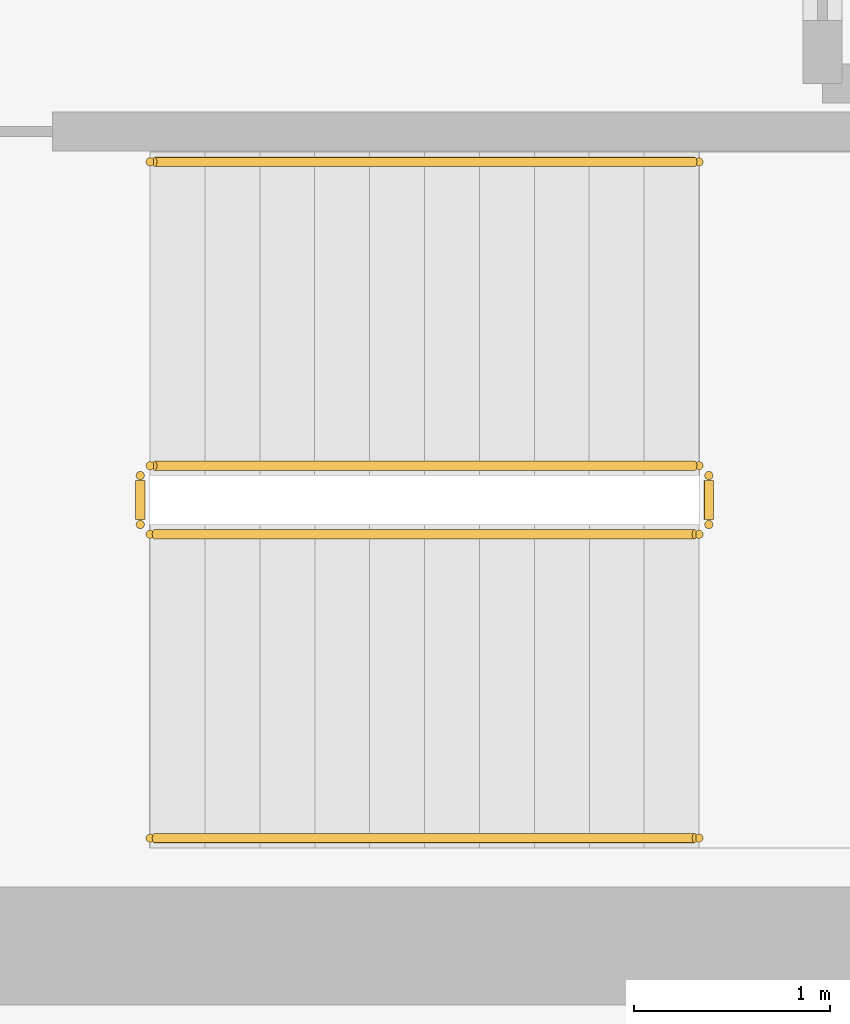
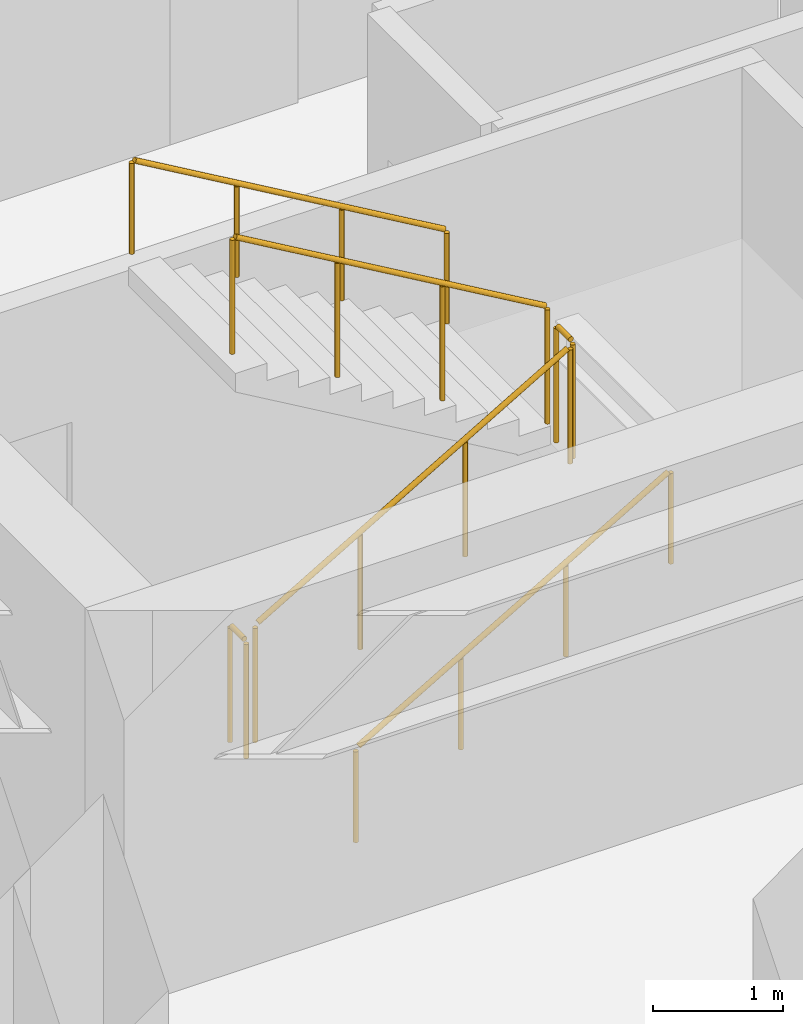
# One storey, part 13 of 13: 6 railings.
"""IFC4 building model written with IfcOpenShell, lengths in metres."""

from ifc_helpers import new_model, si_unit, direction, frame, origin, origin_2d, place, context, subcontext, project, spatial, circle, extrude, source, transform, mapped, material, layer, layer_set, type_object, element, save


model = new_model("IFC4")

# Units and contexts
model_context = context("Model", 3, precision=1e-05, world=origin(), true_north=direction((0.0, 1.0)))
body_context = subcontext(model_context, "Body", "Model", "MODEL_VIEW")
ifc_project = project(units=[si_unit("LENGTHUNIT", "METRE"), si_unit("AREAUNIT", "SQUARE_METRE"), si_unit("VOLUMEUNIT", "CUBIC_METRE"), si_unit("PLANEANGLEUNIT", "RADIAN"), si_unit("MASSUNIT", "GRAM", prefix="KILO")], contexts=[model_context])

# Site, building, storey
site_placement = place(None, origin())
site = spatial("IfcSite", under=ifc_project, at=site_placement, CompositionType="ELEMENT")
building_placement = place(site_placement, origin())
building = spatial("IfcBuilding", under=site, at=building_placement, Name="Kharzan Plaza Tower", CompositionType="ELEMENT")
storey_placement = place(building_placement, frame((0.0, 0.0, 175.5)))
storey = spatial("IfcBuildingStorey", under=building, at=storey_placement, Name="L47", CompositionType="ELEMENT", Elevation=175.5)

# Railings
ifc_material_1 = material(Name="Painted Galvanized Architectural Steel", Category="steel")
ifc_layer_1 = layer(ifc_material_1, 0.074951171875)
ifc_layer_set_1 = layer_set([ifc_layer_1], Name="Painted Galvanized Architectural Steel")
railing_type_1 = type_object("IfcRailingType", Name="RL-GUARD-1120", PredefinedType="BALUSTRADE", material=ifc_layer_set_1)
shared_shape_1 = source(origin(), body_context, "Body", "SweptSolid", [
    extrude(circle(Radius=0.02392578125, at=origin_2d()), frame((0.0, 0.0263671875, 1.09619140625), z_axis=(0.0, 1.0, 0.0), x_axis=(-1.0, 0.0, 0.0)), (0.0, 0.0, 1.0), 0.197021484375),
    extrude(circle(Radius=0.02099609375, at=origin_2d()), origin(), (0.0, 0.0, 1.0), 1.072021484375),
    extrude(circle(Radius=0.02099609375, at=origin_2d()), frame((0.0, 0.25, 0.0)), (0.0, 0.0, 1.0), 1.072021484375),
])
for number, where, name in (
    (1, (41.10009765625, 6.64990234375, 1.800048828125), "L47 ST-3 stair guard 2"),
    (2, (38.199951171875, 6.64990234375, 0.0), "L47 ST-3 stair guard 4"),
):
    element("IfcRailing", number, at=place(storey_placement, frame(where)), inside=storey, type_object=railing_type_1, Name=name, PredefinedType="BALUSTRADE", context=body_context, shape_type="MappedRepresentation", body=[
        mapped(shared_shape_1, transform((0.0, 0.0, 0.0), x_axis=(1.0, 0.0, 0.0), y_axis=(0.0, 1.0, 0.0), z_axis=(0.0, 0.0, 1.0))),
    ])
shared_shape_2 = source(origin(), body_context, "Body", "SweptSolid", [
    extrude(circle(Radius=0.02392578125, at=origin_2d()), frame((0.02294921875, 0.0, 1.109375), z_axis=(0.863360870873, 0.0, 0.504586966384), x_axis=(0.0, 1.0, 0.0)), (0.0, 0.0, 1.0), 3.190185546875),
    extrude(circle(Radius=0.02099609375, at=origin_2d()), origin(), (0.0, 0.0, 1.0), 1.072021484375),
    extrude(circle(Radius=0.02099609375, at=origin_2d()), frame((0.933349609375, 0.0, 0.54541015625)), (0.0, 0.0, 1.0), 1.072021484375),
    extrude(circle(Radius=0.02099609375, at=origin_2d()), frame((1.86669921875, 0.0, 1.091064453125)), (0.0, 0.0, 1.0), 1.072021484375),
    extrude(circle(Radius=0.02099609375, at=origin_2d()), frame((2.800048828125, 0.0, 1.636474609375)), (0.0, 0.0, 1.0), 1.072021484375),
])
railing_1_placement = place(storey_placement, frame((38.25, 6.60009765625, 0.16357421875)))
element("IfcRailing", 3, at=railing_1_placement, inside=storey, type_object=railing_type_1, Name="L47 ST-3 stair guard 1", PredefinedType="BALUSTRADE", context=body_context, shape_type="MappedRepresentation", body=[
    mapped(shared_shape_2, transform((0.0, 0.0, 0.0), x_axis=(1.0, 0.0, 0.0), y_axis=(0.0, 1.0, 0.0), z_axis=(0.0, 0.0, 1.0))),
])
shared_shape_3 = source(origin(), body_context, "Body", "SweptSolid", [
    extrude(circle(Radius=0.02392578125, at=origin_2d()), frame((-0.02294921875, 0.0, 1.109375), z_axis=(-0.863360870873, 0.0, 0.504586966384), x_axis=(0.0, -1.0, 0.0)), (0.0, 0.0, 1.0), 3.190185546875),
    extrude(circle(Radius=0.02099609375, at=origin_2d()), origin(), (0.0, 0.0, 1.0), 1.072021484375),
    extrude(circle(Radius=0.02099609375, at=origin_2d()), frame((-0.933349609375, 0.0, 0.54541015625)), (0.0, 0.0, 1.0), 1.072021484375),
    extrude(circle(Radius=0.02099609375, at=origin_2d()), frame((-1.86669921875, 0.0, 1.091064453125)), (0.0, 0.0, 1.0), 1.072021484375),
    extrude(circle(Radius=0.02099609375, at=origin_2d()), frame((-2.800048828125, 0.0, 1.636474609375)), (0.0, 0.0, 1.0), 1.072021484375),
])
railing_2_placement = place(storey_placement, frame((41.050048828125, 6.949951171875, 1.963623046875)))
element("IfcRailing", 4, at=railing_2_placement, inside=storey, type_object=railing_type_1, Name="L47 ST-3 stair guard 3", PredefinedType="BALUSTRADE", context=body_context, shape_type="MappedRepresentation", body=[
    mapped(shared_shape_3, transform((0.0, 0.0, 0.0), x_axis=(1.0, 0.0, 0.0), y_axis=(0.0, 1.0, 0.0), z_axis=(0.0, 0.0, 1.0))),
])
ifc_material_2 = material(Name="Brushed Stainless Steel", Category="steel")
ifc_layer_2 = layer(ifc_material_2, 0.050048828125)
ifc_layer_set_2 = layer_set([ifc_layer_2], Name="Brushed Stainless Steel")
railing_type_2 = type_object("IfcRailingType", Name="RL-STAIR-HR920", PredefinedType="HANDRAIL", material=ifc_layer_set_2)
shared_shape_4 = source(origin(), body_context, "Body", "SweptSolid", [
    extrude(circle(Radius=0.02392578125, at=origin_2d()), frame((0.02294921875, 0.0, 0.88916015625), z_axis=(0.863360870873, 0.0, 0.504586966384), x_axis=(0.0, 1.0, 0.0)), (0.0, 0.0, 1.0), 3.190185546875),
    extrude(circle(Radius=0.02099609375, at=origin_2d()), origin(), (0.0, 0.0, 1.0), 0.851806640625),
    extrude(circle(Radius=0.02099609375, at=origin_2d()), frame((0.933349609375, 0.0, 0.54541015625)), (0.0, 0.0, 1.0), 0.851806640625),
    extrude(circle(Radius=0.02099609375, at=origin_2d()), frame((1.86669921875, 0.0, 1.091064453125)), (0.0, 0.0, 1.0), 0.851806640625),
    extrude(circle(Radius=0.02099609375, at=origin_2d()), frame((2.800048828125, 0.0, 1.636474609375)), (0.0, 0.0, 1.0), 0.851806640625),
])
railing_3_placement = place(storey_placement, frame((38.25, 5.050048828125, 0.16357421875)))
element("IfcRailing", 5, at=railing_3_placement, inside=storey, type_object=railing_type_2, Name="L47 ST-3 stair handrail 1", PredefinedType="HANDRAIL", context=body_context, shape_type="MappedRepresentation", body=[
    mapped(shared_shape_4, transform((0.0, 0.0, 0.0), x_axis=(1.0, 0.0, 0.0), y_axis=(0.0, 1.0, 0.0), z_axis=(0.0, 0.0, 1.0))),
])
shared_shape_5 = source(origin(), body_context, "Body", "SweptSolid", [
    extrude(circle(Radius=0.02392578125, at=origin_2d()), frame((-0.02294921875, 0.0, 0.88916015625), z_axis=(-0.863360870873, 0.0, 0.504586966384), x_axis=(0.0, -1.0, 0.0)), (0.0, 0.0, 1.0), 3.190185546875),
    extrude(circle(Radius=0.02099609375, at=origin_2d()), origin(), (0.0, 0.0, 1.0), 0.851806640625),
    extrude(circle(Radius=0.02099609375, at=origin_2d()), frame((-0.933349609375, 0.0, 0.54541015625)), (0.0, 0.0, 1.0), 0.851806640625),
    extrude(circle(Radius=0.02099609375, at=origin_2d()), frame((-1.86669921875, 0.0, 1.091064453125)), (0.0, 0.0, 1.0), 0.851806640625),
    extrude(circle(Radius=0.02099609375, at=origin_2d()), frame((-2.800048828125, 0.0, 1.636474609375)), (0.0, 0.0, 1.0), 0.851806640625),
])
railing_4_placement = place(storey_placement, frame((41.050048828125, 8.5, 1.963623046875)))
element("IfcRailing", 6, at=railing_4_placement, inside=storey, type_object=railing_type_2, Name="L47 ST-3 stair handrail 2", PredefinedType="HANDRAIL", context=body_context, shape_type="MappedRepresentation", body=[
    mapped(shared_shape_5, transform((0.0, 0.0, 0.0), x_axis=(1.0, 0.0, 0.0), y_axis=(0.0, 1.0, 0.0), z_axis=(0.0, 0.0, 1.0))),
])

save(model, "model.ifc")
